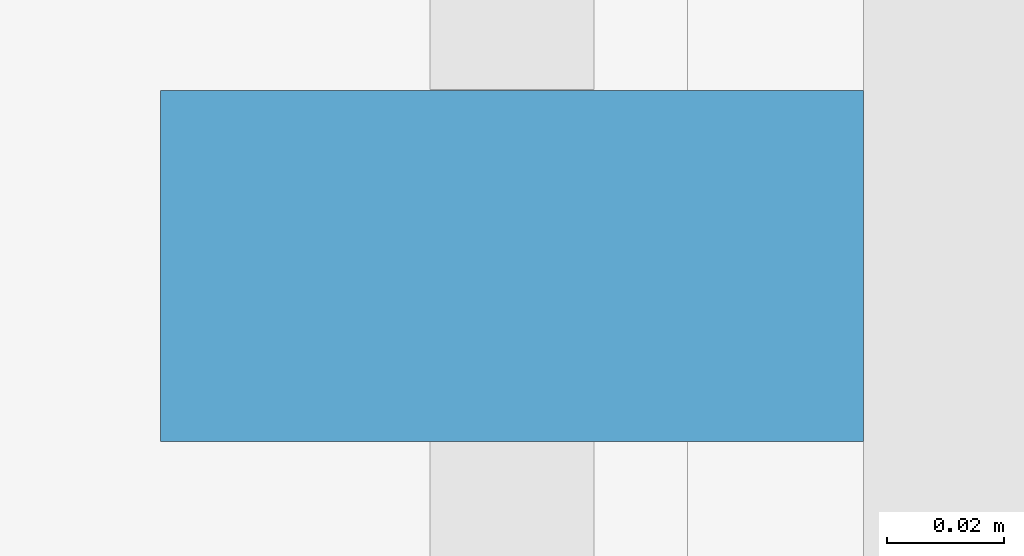
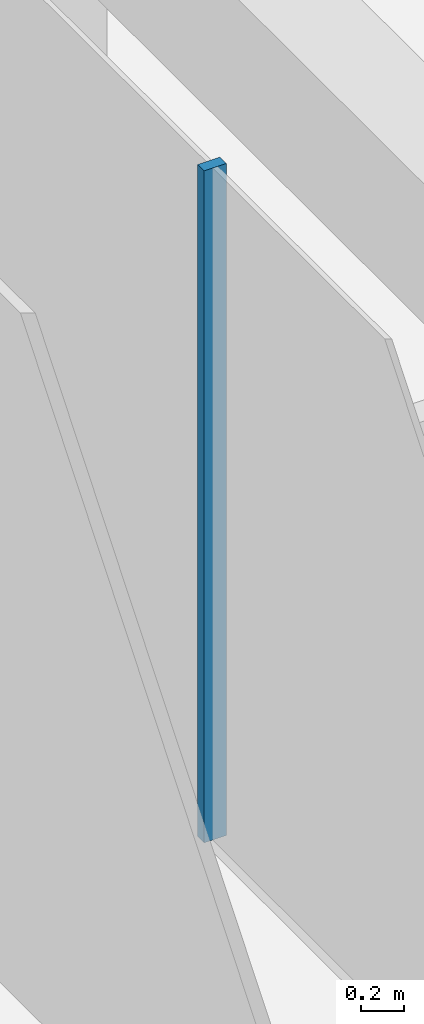
# One storey, part 9 of 25: 1 member, 1 element without a shape of its own.
"""IFC4 building model written with IfcOpenShell, lengths in metres."""

from ifc_helpers import new_model, si_unit, direction, frame, origin, origin_2d, place, context, subcontext, project, spatial, rectangle, extrude, material, layer, layer_set, material_profile, profile_set, type_object, element, aggregate, save


model = new_model("IFC4")

# Units and contexts
model_context = context("Model", 3, precision=1e-05, world=origin(), true_north=direction((0.0, 1.0)))
body_context = subcontext(model_context, "Body", "Model", "MODEL_VIEW")
ifc_project = project(units=[si_unit("LENGTHUNIT", "METRE"), si_unit("AREAUNIT", "SQUARE_METRE"), si_unit("VOLUMEUNIT", "CUBIC_METRE"), si_unit("PLANEANGLEUNIT", "RADIAN"), si_unit("MASSUNIT", "GRAM", prefix="KILO")], contexts=[model_context])

# Site, building, storey
site_placement = place(None, origin())
site = spatial("IfcSite", under=ifc_project, at=site_placement, CompositionType="ELEMENT")
building_placement = place(site_placement, origin())
building = spatial("IfcBuilding", under=site, at=building_placement, Name="Welwitschia Terrace Campus", CompositionType="ELEMENT")
storey_placement = place(building_placement, frame((0.0, 0.0, 264.199951171875)))
storey = spatial("IfcBuildingStorey", under=building, at=storey_placement, Name="L58", CompositionType="ELEMENT", Elevation=264.199951171875)

# Curtain wall, member
ifc_material_1 = material(Name="Bronze anodised aluminium", Category="aluminium")
ifc_layer = layer(ifc_material_1, 0.1201171875)
ifc_layer_set = layer_set([ifc_layer], Name="Bronze anodised aluminium")
curtain_wall_type = type_object("IfcCurtainWallType", Name="Curtain wall CW2 tower 6000", PredefinedType="NOTDEFINED", material=ifc_layer_set)
curtain_wall_placement = place(storey_placement, origin())
curtain_wall = element("IfcCurtainWall", 1, at=curtain_wall_placement, inside=storey, type_object=curtain_wall_type, Name="CW L58.0.0", PredefinedType="NOTDEFINED")
ifc_material_2 = material(Name="Bronze anodised aluminium", Category="aluminium")
ifc_material_profile = material_profile(ifc_material_2, rectangle(XDim=0.1201171875, YDim=0.06005859375, at=origin_2d()))
ifc_profile_set = profile_set([ifc_material_profile], Name="Bronze anodised aluminium")
member_type = type_object("IfcMemberType", Name="Mullion 60x120", PredefinedType="MULLION", material=ifc_profile_set)
member_placement = place(storey_placement, frame((-1.030029296875, 46.0693359375, 0.0), z_axis=(0.0, 0.0, 1.0), x_axis=(1.0, 0.0, 0.0)))
member = element("IfcMember", 2, at=member_placement, type_object=member_type, Name="Mullion L58.0.0.3", PredefinedType="MULLION", context=body_context, shape_type="SweptSolid", body=[
    extrude(rectangle(XDim=0.1201171875, YDim=0.06005859375, at=origin_2d()), origin(), (0.0, 0.0, 1.0), 3.85009765625),
])
aggregate(curtain_wall, [member])

save(model, "model.ifc")
